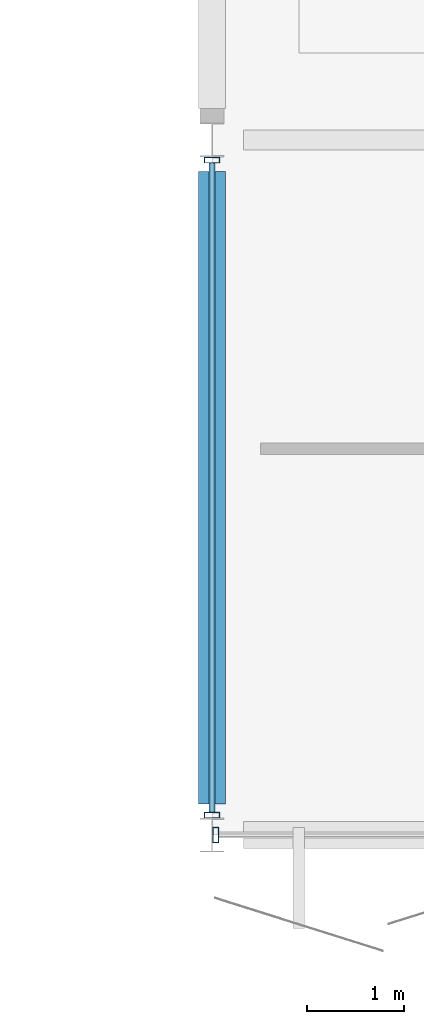
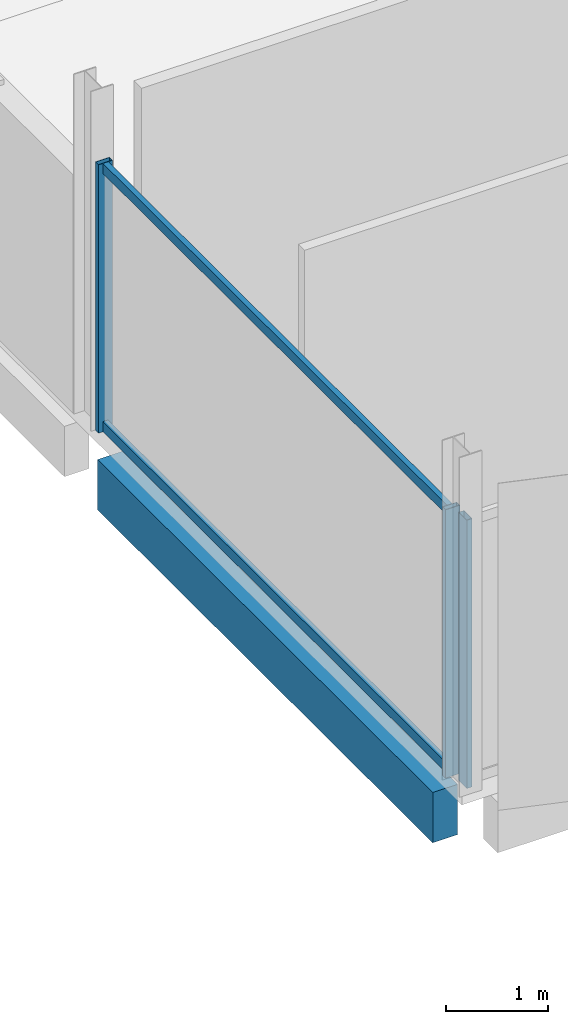
# One storey, part 24 of 91: 5 members, 1 beam, 2 elements without a shape of their own.
"""IFC4 building model written with IfcOpenShell, lengths in metres."""

from ifc_helpers import new_model, si_unit, direction, frame, origin, origin_2d, place, context, subcontext, project, spatial, rectangle, hollow_rectangle, extrude, material, layer, layer_set, material_profile, profile_set, type_object, element, aggregate, save


model = new_model("IFC4")

# Units and contexts
model_context = context("Model", 3, precision=1e-05, world=origin(), true_north=direction((0.0, 1.0)))
body_context = subcontext(model_context, "Body", "Model", "MODEL_VIEW")
ifc_project = project(units=[si_unit("LENGTHUNIT", "METRE"), si_unit("AREAUNIT", "SQUARE_METRE"), si_unit("VOLUMEUNIT", "CUBIC_METRE"), si_unit("PLANEANGLEUNIT", "RADIAN"), si_unit("MASSUNIT", "GRAM", prefix="KILO")], contexts=[model_context])

# Site, building, storey
site_placement = place(None, origin())
site = spatial("IfcSite", under=ifc_project, at=site_placement, CompositionType="ELEMENT")
building_placement = place(site_placement, origin())
building = spatial("IfcBuilding", under=site, at=building_placement, Name="Kangsadwip Square Police Headquarters", CompositionType="ELEMENT")
storey_placement = place(building_placement, frame((0.0, 0.0, 13.5)))
storey = spatial("IfcBuildingStorey", under=building, at=storey_placement, Name="L03", CompositionType="ELEMENT", Elevation=13.5)

# Curtain wall, member
ifc_material_1 = material(Name="Thermally broken anodised aluminium AW-6063-T6", Category="aluminium")
ifc_layer_1 = layer(ifc_material_1, 0.159912109375)
ifc_layer_set_1 = layer_set([ifc_layer_1], Name="Thermally broken anodised aluminium AW-6063-T6")
curtain_wall_type_1 = type_object("IfcCurtainWallType", Name="CourtScreen7180x3200", PredefinedType="USERDEFINED", material=ifc_layer_set_1)
curtain_wall_1_placement = place(storey_placement, origin())
curtain_wall_1 = element("IfcCurtainWall", 1, at=curtain_wall_1_placement, inside=storey, type_object=curtain_wall_type_1, Name="Curtain Wall CW-L03-0936-0936", ObjectType="GLAZED_SCREEN", PredefinedType="USERDEFINED")
ifc_material_2 = material(Name="Thermally broken anodised aluminium AW-6063-T6", Category="aluminium")
ifc_material_profile_1 = material_profile(ifc_material_2, hollow_rectangle(XDim=0.06005859375, YDim=0.159912109375, WallThickness=0.00390625, at=origin_2d()), Name="CWM 160X60X4")
ifc_profile_set_1 = profile_set([ifc_material_profile_1], Name="Thermally broken anodised aluminium AW-6063-T6")
member_type_1 = type_object("IfcMemberType", Name="CwMullion135x60", PredefinedType="MULLION", material=ifc_profile_set_1)
member_1_placement = place(storey_placement, frame((93.639892578125, 93.60009765625, 0.0), z_axis=(0.0, 0.0, 1.0), x_axis=(1.0, 0.0, 0.0)))
member_1 = element("IfcMember", 2, at=member_1_placement, type_object=member_type_1, Name="CW-17 mullion 1", PredefinedType="MULLION", context=body_context, shape_type="SweptSolid", body=[
    extrude(hollow_rectangle(XDim=0.06005859375, YDim=0.159912109375, WallThickness=0.00390625, at=origin_2d()), origin(), (0.0, 0.0, 1.0), 3.199951171875),
])
aggregate(curtain_wall_1, [member_1])

# Curtain wall, members
ifc_material_3 = material(Name="Thermally broken anodised aluminium AW-6063-T6", Category="aluminium")
ifc_layer_2 = layer(ifc_material_3, 0.159912109375)
ifc_layer_set_2 = layer_set([ifc_layer_2], Name="Thermally broken anodised aluminium AW-6063-T6")
curtain_wall_type_2 = type_object("IfcCurtainWallType", Name="CourtScreen6844x3200", PredefinedType="USERDEFINED", material=ifc_layer_set_2)
curtain_wall_2_placement = place(storey_placement, origin())
curtain_wall_2 = element("IfcCurtainWall", 3, at=curtain_wall_2_placement, inside=storey, type_object=curtain_wall_type_2, Name="Curtain Wall CW-L03-0936-0938", ObjectType="GLAZED_SCREEN", PredefinedType="USERDEFINED")
member_2_placement = place(storey_placement, frame((93.60009765625, 93.80810546875, 0.0), z_axis=(0.0, 0.0, 1.0), x_axis=(0.0, 1.0, 0.0)))
member_2 = element("IfcMember", 4, at=member_2_placement, type_object=member_type_1, Name="CW-40 mullion 1", PredefinedType="MULLION", context=body_context, shape_type="SweptSolid", body=[
    extrude(hollow_rectangle(XDim=0.06005859375, YDim=0.159912109375, WallThickness=0.00390625, at=origin_2d()), origin(), (0.0, 0.0, 1.0), 3.199951171875),
])
member_3_placement = place(storey_placement, frame((93.60009765625, 100.592041015625, 0.0), z_axis=(0.0, 0.0, 1.0), x_axis=(0.0, 1.0, 0.0)))
member_3 = element("IfcMember", 5, at=member_3_placement, type_object=member_type_1, Name="CW-40 mullion 2", PredefinedType="MULLION", context=body_context, shape_type="SweptSolid", body=[
    extrude(hollow_rectangle(XDim=0.06005859375, YDim=0.159912109375, WallThickness=0.00390625, at=origin_2d()), origin(), (0.0, 0.0, 1.0), 3.199951171875),
])
ifc_material_4 = material(Name="Thermally broken anodised aluminium AW-6063-T6", Category="aluminium")
ifc_material_profile_2 = material_profile(ifc_material_4, hollow_rectangle(XDim=0.06005859375, YDim=0.1201171875, WallThickness=0.00390625, at=origin_2d()), Name="CWT 120X60X4")
ifc_profile_set_2 = profile_set([ifc_material_profile_2], Name="Thermally broken anodised aluminium AW-6063-T6")
member_type_2 = type_object("IfcMemberType", Name="CwTransom120x55", PredefinedType="USERDEFINED", material=ifc_profile_set_2)
member_4_placement = place(storey_placement, frame((93.60009765625, 93.837890625, 0.06005859375), z_axis=(0.0, 1.0, 0.0), x_axis=(-1.0, 0.0, 0.0)))
member_4 = element("IfcMember", 6, at=member_4_placement, type_object=member_type_2, Name="CW-40 transom 1.1", ObjectType="TRANSOM", PredefinedType="USERDEFINED", context=body_context, shape_type="SweptSolid", body=[
    extrude(hollow_rectangle(XDim=0.06005859375, YDim=0.1201171875, WallThickness=0.00390625, at=origin_2d()), origin(), (0.0, 0.0, 1.0), 6.72412109375),
])
member_5_placement = place(storey_placement, frame((93.60009765625, 93.837890625, 3.139892578125), z_axis=(0.0, 1.0, 0.0), x_axis=(-1.0, 0.0, 0.0)))
member_5 = element("IfcMember", 7, at=member_5_placement, type_object=member_type_2, Name="CW-40 transom 1.2", ObjectType="TRANSOM", PredefinedType="USERDEFINED", context=body_context, shape_type="SweptSolid", body=[
    extrude(hollow_rectangle(XDim=0.06005859375, YDim=0.1201171875, WallThickness=0.00390625, at=origin_2d()), origin(), (0.0, 0.0, 1.0), 6.72412109375),
])
aggregate(curtain_wall_2, [member_2, member_3, member_4, member_5])

# Beam
ifc_material_5 = material(Name="Concrete M40 (40 MPa)", Category="concrete")
ifc_material_profile_3 = material_profile(ifc_material_5, rectangle(XDim=0.280029296875, YDim=0.60009765625, at=origin_2d()), Name="RC SPN 600X280")
ifc_profile_set_3 = profile_set([ifc_material_profile_3], Name="Concrete M40 (40 MPa)")
beam_type = type_object("IfcBeamType", Name="RcSpandrel600x280", PredefinedType="SPANDREL", material=ifc_profile_set_3)
beam_placement = place(storey_placement, frame((93.60009765625, 93.925048828125, -0.5400390625), z_axis=(0.0, 1.0, 0.0), x_axis=(-1.0, 0.0, 0.0)))
element("IfcBeam", 8, at=beam_placement, inside=storey, type_object=beam_type, Name="Beam BM-L03-Y-13-13", PredefinedType="SPANDREL", context=body_context, shape_type="SweptSolid", body=[
    extrude(rectangle(XDim=0.280029296875, YDim=0.60009765625, at=origin_2d()), origin(), (0.0, 0.0, 1.0), 6.550048828125),
])

save(model, "model.ifc")
